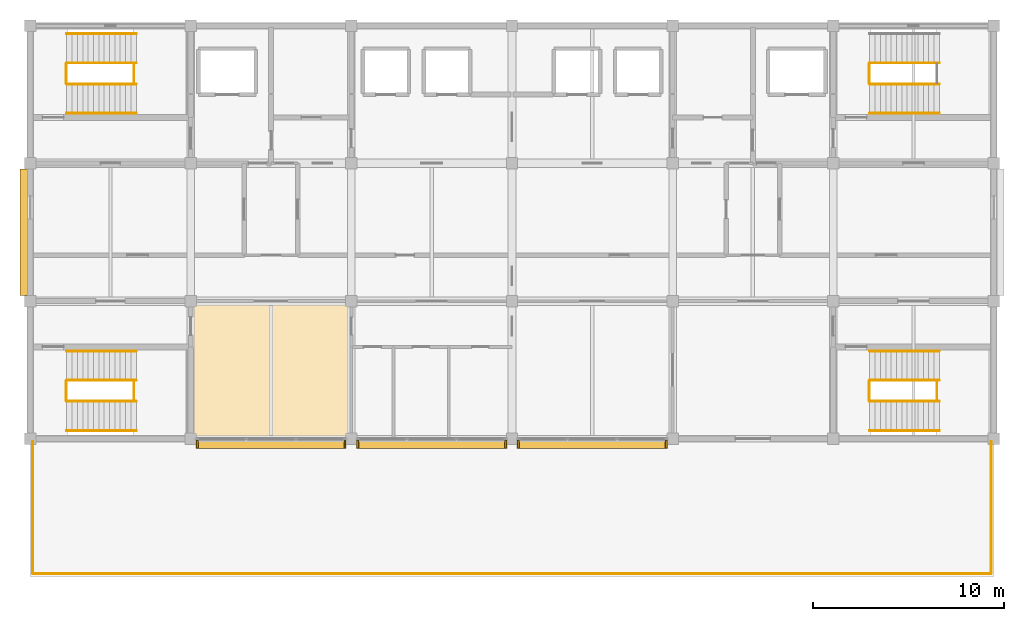
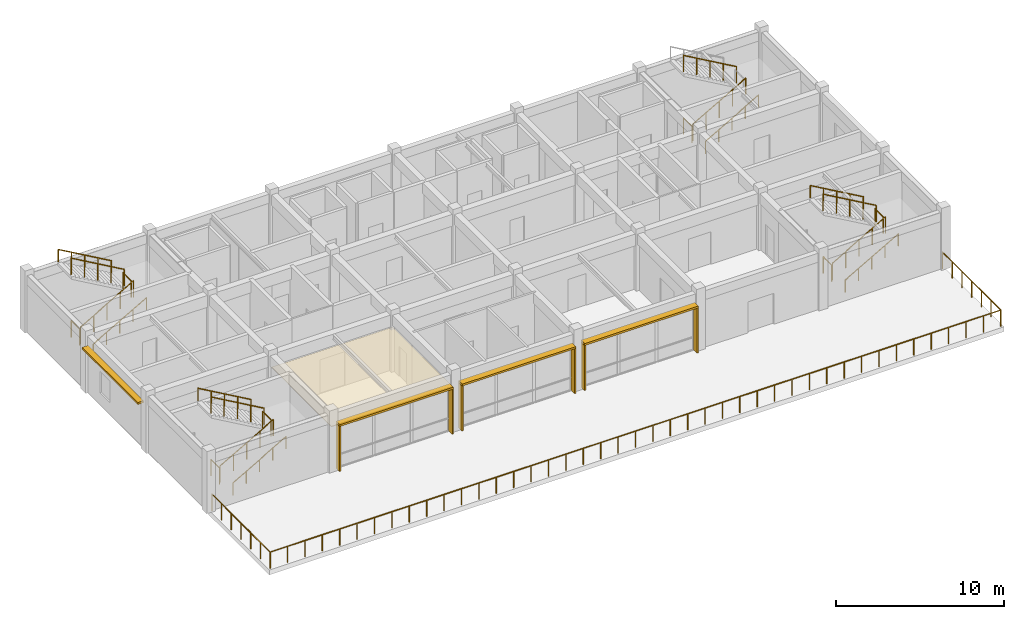
# One storey, part 10 of 11: 25 railings, 10 shading devices, 1 covering.
"""IFC4 building model written with IfcOpenShell, lengths in metres."""

import ifcopenshell
import ifcopenshell.guid

model = None  # the IFC model being written
_history = None  # IfcOwnerHistory: only IFC2X3 demands one
_inside = {}  # id of a spatial element -> (the spatial element, [elements in it])
_under = {}  # id of a project, library or spatial element -> (it, [spatial elements below it])
_declared = {}  # id of a project -> (the project, [libraries it declares])
_typed = {}  # id of a type object -> (the type object, [elements of that type])
_made_of = {}  # id of a material, layer set ... -> (it, [elements and type objects made of it])


def new_model(schema):
    """Start an empty IFC model of exactly this schema.

    Asked for "IFC4X3", IfcOpenShell would pick the latest addendum, in which some entities
    have other attributes; the version numbers below select the first issue.
    IFC2X3 requires an IfcOwnerHistory on every rooted entity: one is made here for all.
    """
    global model, _history
    if schema == "IFC4X3":
        model = ifcopenshell.file(schema_version=(4, 3, 0, 0))
    else:
        model = ifcopenshell.file(schema=schema)
    _inside.clear()
    _under.clear()
    _declared.clear()
    _typed.clear()
    _made_of.clear()
    _history = None
    if model.schema == "IFC2X3":
        org = make("IfcOrganization", Name="unknown")
        user = make(
            "IfcPersonAndOrganization",
            ThePerson=make("IfcPerson", FamilyName="unknown"),
            TheOrganization=org,
        )
        app = make(
            "IfcApplication",
            ApplicationDeveloper=org,
            Version="unknown",
            ApplicationFullName="unknown",
            ApplicationIdentifier="unknown",
        )
        _history = make(
            "IfcOwnerHistory",
            OwningUser=user,
            OwningApplication=app,
            ChangeAction="ADDED",
            CreationDate=0,
        )
    return model


def make(cls, **values):
    """One entity of the class cls with the attributes given. An attribute that is None is left unset."""
    return model.create_entity(
        cls, **{name: value for name, value in values.items() if value is not None}
    )


def rooted(cls, **values):
    """An entity with a GlobalId (a new one), such as an element, a storey or a relation."""
    return make(cls, GlobalId=ifcopenshell.guid.new(), OwnerHistory=_history, **values)


def si_unit(unit_type, name, prefix=None):
    """IfcSIUnit, for example si_unit("LENGTHUNIT", "METRE", prefix="MILLI")."""
    return make("IfcSIUnit", UnitType=unit_type, Prefix=prefix, Name=name)


def assignment(units):
    """IfcUnitAssignment: the units of a project."""
    return None if units is None else make("IfcUnitAssignment", Units=units)


def point(xyz):
    """IfcCartesianPoint."""
    return None if xyz is None else make("IfcCartesianPoint", Coordinates=xyz)


def direction(xyz):
    """IfcDirection."""
    return None if xyz is None else make("IfcDirection", DirectionRatios=xyz)


def frame(location, z_axis=None, x_axis=None):
    """IfcAxis2Placement3D, a coordinate frame: its origin and axes. An axis left out is left unset."""
    return make(
        "IfcAxis2Placement3D",
        Location=point(location),
        Axis=direction(z_axis),
        RefDirection=direction(x_axis),
    )


def frame_2d(location, x_axis=None):
    """IfcAxis2Placement2D, a coordinate frame in the plane: its origin and x axis."""
    return make(
        "IfcAxis2Placement2D", Location=point(location), RefDirection=direction(x_axis)
    )


def origin():
    """The frame at (0, 0, 0) with its axes left unset."""
    return frame((0.0, 0.0, 0.0))


def origin_2d():
    """The frame at (0, 0) in the plane with its x axis left unset."""
    return frame_2d((0.0, 0.0))


def place(relative_to, where):
    """IfcLocalPlacement: puts the frame where relative to a parent placement (None: the world)."""
    return make(
        "IfcLocalPlacement", PlacementRelTo=relative_to, RelativePlacement=where
    )


def context(
    kind, dimensions, precision=None, world=None, true_north=None, identifier=None
):
    """IfcGeometricRepresentationContext, for example the 3D "Model" context."""
    return make(
        "IfcGeometricRepresentationContext",
        ContextIdentifier=identifier,
        ContextType=kind,
        CoordinateSpaceDimension=dimensions,
        Precision=precision,
        WorldCoordinateSystem=world,
        TrueNorth=true_north,
    )


def subcontext(parent, identifier, kind, view, scale=None):
    """IfcGeometricRepresentationSubContext, for example "Body" below "Model"."""
    return make(
        "IfcGeometricRepresentationSubContext",
        ContextIdentifier=identifier,
        ContextType=kind,
        ParentContext=parent,
        TargetScale=scale,
        TargetView=view,
    )


def project(units=None, contexts=None):
    """IfcProject with its units and contexts."""
    return rooted(
        "IfcProject",
        Name="project",
        RepresentationContexts=contexts,
        UnitsInContext=assignment(units),
    )


def spatial(cls, under=None, at=None, **own):
    """A site, building, storey or space (cls), placed at a placement, below another one or the project."""
    s = rooted(cls, ObjectPlacement=at, **own)
    if under is not None:
        _under.setdefault(under.id(), (under, []))[1].append(s)
    return s


def polyline(points):
    """IfcPolyline through the points."""
    return make("IfcPolyline", Points=[point(p) for p in points])


def profile(cls, at=None, kind="AREA", **sizes):
    """A parametric profile (cls). Its sizes go by their IFC names, for example OverallWidth=200.0."""
    return make(cls, ProfileType=kind, Position=at, **sizes)


def rectangle(**sizes):
    """IfcRectangleProfileDef."""
    return profile("IfcRectangleProfileDef", **sizes)


def circle(**sizes):
    """IfcCircleProfileDef."""
    return profile("IfcCircleProfileDef", **sizes)


def outline(outer, holes=None, kind="AREA"):
    """IfcArbitraryClosedProfileDef: a profile drawn as a closed curve; with holes, ...WithVoids."""
    if holes is None:
        return make("IfcArbitraryClosedProfileDef", ProfileType=kind, OuterCurve=outer)
    return make(
        "IfcArbitraryProfileDefWithVoids",
        ProfileType=kind,
        OuterCurve=outer,
        InnerCurves=holes,
    )


def extrude(swept, where, along, depth):
    """IfcExtrudedAreaSolid: the profile swept, set in the frame where, extruded along a direction by depth."""
    return make(
        "IfcExtrudedAreaSolid",
        SweptArea=swept,
        Position=where,
        ExtrudedDirection=direction(along),
        Depth=depth,
    )


def shape(context_of_items, identifier, shape_type, items):
    """IfcShapeRepresentation: the items that make up one representation, for example the "Body"."""
    return make(
        "IfcShapeRepresentation",
        ContextOfItems=context_of_items,
        RepresentationIdentifier=identifier,
        RepresentationType=shape_type,
        Items=items,
    )


def material(Name=None, Category=None):
    """IfcMaterial."""
    return make("IfcMaterial", Name=Name, Category=Category)


def layer(
    of_material, thickness, ventilated=None, Name=None, Category=None, Priority=None
):
    """IfcMaterialLayer: one layer of a wall or slab, of a material (None: an air gap)."""
    return make(
        "IfcMaterialLayer",
        Material=of_material,
        LayerThickness=thickness,
        IsVentilated=ventilated,
        Name=Name,
        Category=Category,
        Priority=Priority,
    )


def layer_set(layers, Name=None):
    """IfcMaterialLayerSet."""
    return make("IfcMaterialLayerSet", MaterialLayers=layers, LayerSetName=Name)


def made_of(thing, what):
    """Note that an element or type object is made of a material, layer set ...; save() writes the relation."""
    if what is not None:
        _made_of.setdefault(what.id(), (what, []))[1].append(thing)
    return thing


def type_object(cls, material=None, **own):
    """A type object (cls), such as IfcWallType, which elements share."""
    return made_of(rooted(cls, **own), material)


def element(
    cls,
    number,
    at=None,
    inside=None,
    cuts=None,
    type_object=None,
    material=None,
    context=None,
    identifier="Body",
    shape_type=None,
    held_by="IfcProductDefinitionShape",
    body=None,
    shapes=None,
    **own,
):
    """One element of the class cls, such as IfcWall. Its Tag is "e" and its number.

    at: its placement. inside: the storey or other place that contains it. cuts: it is an
    opening in that element (IfcRelVoidsElement). A single representation is given by context,
    identifier, shape_type and body (its items); several are given by shapes. held_by: the class
    of the entity that holds the representations. save() writes the other relations.
    """
    e = rooted(cls, Tag="e%d" % number, ObjectPlacement=at, **own)
    if body is not None:
        shapes = [shape(context, identifier, shape_type, body)]
    if shapes is not None:
        e.Representation = make(held_by, Representations=shapes)
    if inside is not None:
        _inside.setdefault(inside.id(), (inside, []))[1].append(e)
    if cuts is not None:
        rooted(
            "IfcRelVoidsElement", RelatingBuildingElement=cuts, RelatedOpeningElement=e
        )
    if type_object is not None:
        _typed.setdefault(type_object.id(), (type_object, []))[1].append(e)
    return made_of(e, material)


def aggregate(whole, parts):
    """IfcRelAggregates: a whole, such as a stair, and the parts it consists of."""
    return rooted("IfcRelAggregates", RelatingObject=whole, RelatedObjects=parts)


def save(model, path):
    """Write the relations noted so far, then the file.

    IfcRelAggregates (storeys below a building ...), IfcRelContainedInSpatialStructure (elements
    in a storey), IfcRelDefinesByType, IfcRelAssociatesMaterial and IfcRelDeclares: one each for
    every whole, place, type object, material and project.
    """
    for whole, parts in _under.values():
        aggregate(whole, parts)
    for where, things in _inside.values():
        rooted(
            "IfcRelContainedInSpatialStructure",
            RelatedElements=things,
            RelatingStructure=where,
        )
    for kind, things in _typed.values():
        rooted("IfcRelDefinesByType", RelatedObjects=things, RelatingType=kind)
    for what, things in _made_of.values():
        rooted("IfcRelAssociatesMaterial", RelatedObjects=things, RelatingMaterial=what)
    for by, libraries in _declared.values():
        rooted("IfcRelDeclares", RelatingContext=by, RelatedDefinitions=libraries)
    model.write(path)


model = new_model("IFC4")

# Units and contexts
model_context = context("Model", 3, precision=1e-05, world=origin(), true_north=direction((0.0, 1.0)))
body_context = subcontext(model_context, "Body", "Model", "MODEL_VIEW")
ifc_project = project(units=[si_unit("LENGTHUNIT", "METRE"), si_unit("AREAUNIT", "SQUARE_METRE"), si_unit("VOLUMEUNIT", "CUBIC_METRE"), si_unit("PLANEANGLEUNIT", "RADIAN"), si_unit("MASSUNIT", "GRAM", prefix="KILO")], contexts=[model_context])

# Site, building, storey
site_placement = place(None, origin())
site = spatial("IfcSite", under=ifc_project, at=site_placement, CompositionType="ELEMENT")
building_placement = place(site_placement, origin())
building = spatial("IfcBuilding", under=site, at=building_placement, Name="Chengyuan Square Courthouse", CompositionType="ELEMENT")
storey_placement = place(building_placement, frame((0.0, 0.0, 68.699951171875)))
storey = spatial("IfcBuildingStorey", under=building, at=storey_placement, Name="L16", CompositionType="ELEMENT", Elevation=68.699951171875)

# Covering
ifc_material_1 = material(Name="Perforated Larch Glulam Acoustic Slat Ceiling", Category="wood")
ifc_layer = layer(ifc_material_1, 0.044921875)
ifc_layer_set = layer_set([ifc_layer], Name="Perforated Larch Glulam Acoustic Slat Ceiling")
covering_type = type_object("IfcCoveringType", Name="CLG-01", PredefinedType="CEILING", material=ifc_layer_set)
covering_placement = place(storey_placement, frame((0.0, 0.0, 3.02001953125)))
element("IfcCovering", 1, at=covering_placement, inside=storey, type_object=covering_type, Name="Acoustic Timber Slat Ceiling CLG-L16-PLN-01", PredefinedType="CEILING", context=body_context, shape_type="SweptSolid", body=[
    extrude(outline(polyline([(67.25, 86.449951171875), (75.550048828125, 86.449951171875), (75.550048828125, 93.550048828125), (67.25, 93.550048828125), (67.25, 86.449951171875)])), origin(), (0.0, 0.0, 1.0), 0.044921875),
])

# Railings
ifc_material_2 = material(Name="Stainless Steel S30408 and Laminated Glass Balustrade", Category="steel")
railing_type_1 = type_object("IfcRailingType", Name="RL-01", PredefinedType="BALUSTRADE", material=ifc_material_2)
railing_1_placement = place(storey_placement, frame((109.06005859375, 86.260009765625, 0.0)))
element("IfcRailing", 2, at=railing_1_placement, inside=storey, type_object=railing_type_1, Name="Terrace Safety Balustrade RL-TER-025", PredefinedType="BALUSTRADE", context=body_context, shape_type="SweptSolid", body=[
    extrude(circle(Radius=0.02392578125, at=origin_2d()), frame((0.0, 0.0, 1.17578125), z_axis=(0.0, -1.0, 0.0), x_axis=(1.0, 0.0, 0.0)), (0.0, 0.0, 1.0), 6.919921875),
    extrude(circle(Radius=0.02099609375, at=origin_2d()), origin(), (0.0, 0.0, 1.0), 1.15185546875),
    extrude(circle(Radius=0.02099609375, at=origin_2d()), frame((0.0, -1.1533203125, 0.0)), (0.0, 0.0, 1.0), 1.15185546875),
    extrude(circle(Radius=0.02099609375, at=origin_2d()), frame((0.0, -2.306640625, 0.0)), (0.0, 0.0, 1.0), 1.15185546875),
    extrude(circle(Radius=0.02099609375, at=origin_2d()), frame((0.0, -3.4599609375, 0.0)), (0.0, 0.0, 1.0), 1.15185546875),
    extrude(circle(Radius=0.02099609375, at=origin_2d()), frame((0.0, -4.61328125, 0.0)), (0.0, 0.0, 1.0), 1.15185546875),
    extrude(circle(Radius=0.02099609375, at=origin_2d()), frame((0.0, -5.7666015625, 0.0)), (0.0, 0.0, 1.0), 1.15185546875),
    extrude(circle(Radius=0.02099609375, at=origin_2d()), frame((0.0, -6.919921875, 0.0)), (0.0, 0.0, 1.0), 1.15185546875),
])
railing_2_placement = place(storey_placement, frame((109.06005859375, 79.340087890625, 0.0)))
element("IfcRailing", 3, at=railing_2_placement, inside=storey, type_object=railing_type_1, Name="Terrace Safety Balustrade RL-TER-026", PredefinedType="BALUSTRADE", context=body_context, shape_type="SweptSolid", body=[
    extrude(circle(Radius=0.02392578125, at=origin_2d()), frame((0.0, 0.0, 1.17578125), z_axis=(-1.0, 0.0, 0.0), x_axis=(0.0, -1.0, 0.0)), (0.0, 0.0, 1.0), 50.1201171875),
    extrude(circle(Radius=0.02099609375, at=origin_2d()), origin(), (0.0, 0.0, 1.0), 1.15185546875),
    extrude(circle(Radius=0.02099609375, at=origin_2d()), frame((-1.193359375, 0.0, 0.0)), (0.0, 0.0, 1.0), 1.15185546875),
    extrude(circle(Radius=0.02099609375, at=origin_2d()), frame((-2.38671875, 0.0, 0.0)), (0.0, 0.0, 1.0), 1.15185546875),
    extrude(circle(Radius=0.02099609375, at=origin_2d()), frame((-3.580078125, 0.0, 0.0)), (0.0, 0.0, 1.0), 1.15185546875),
    extrude(circle(Radius=0.02099609375, at=origin_2d()), frame((-4.7734375, 0.0, 0.0)), (0.0, 0.0, 1.0), 1.15185546875),
    extrude(circle(Radius=0.02099609375, at=origin_2d()), frame((-5.966796875, 0.0, 0.0)), (0.0, 0.0, 1.0), 1.15185546875),
    extrude(circle(Radius=0.02099609375, at=origin_2d()), frame((-7.159912109375, 0.0, 0.0)), (0.0, 0.0, 1.0), 1.15185546875),
    extrude(circle(Radius=0.02099609375, at=origin_2d()), frame((-8.353271484375, 0.0, 0.0)), (0.0, 0.0, 1.0), 1.15185546875),
    extrude(circle(Radius=0.02099609375, at=origin_2d()), frame((-9.546630859375, 0.0, 0.0)), (0.0, 0.0, 1.0), 1.15185546875),
    extrude(circle(Radius=0.02099609375, at=origin_2d()), frame((-10.739990234375, 0.0, 0.0)), (0.0, 0.0, 1.0), 1.15185546875),
    extrude(circle(Radius=0.02099609375, at=origin_2d()), frame((-11.933349609375, 0.0, 0.0)), (0.0, 0.0, 1.0), 1.15185546875),
    extrude(circle(Radius=0.02099609375, at=origin_2d()), frame((-13.126708984375, 0.0, 0.0)), (0.0, 0.0, 1.0), 1.15185546875),
    extrude(circle(Radius=0.02099609375, at=origin_2d()), frame((-14.320068359375, 0.0, 0.0)), (0.0, 0.0, 1.0), 1.15185546875),
    extrude(circle(Radius=0.02099609375, at=origin_2d()), frame((-15.513427734375, 0.0, 0.0)), (0.0, 0.0, 1.0), 1.15185546875),
    extrude(circle(Radius=0.02099609375, at=origin_2d()), frame((-16.706787109375, 0.0, 0.0)), (0.0, 0.0, 1.0), 1.15185546875),
    extrude(circle(Radius=0.02099609375, at=origin_2d()), frame((-17.900146484375, 0.0, 0.0)), (0.0, 0.0, 1.0), 1.15185546875),
    extrude(circle(Radius=0.02099609375, at=origin_2d()), frame((-19.09326171875, 0.0, 0.0)), (0.0, 0.0, 1.0), 1.15185546875),
    extrude(circle(Radius=0.02099609375, at=origin_2d()), frame((-20.28662109375, 0.0, 0.0)), (0.0, 0.0, 1.0), 1.15185546875),
    extrude(circle(Radius=0.02099609375, at=origin_2d()), frame((-21.47998046875, 0.0, 0.0)), (0.0, 0.0, 1.0), 1.15185546875),
    extrude(circle(Radius=0.02099609375, at=origin_2d()), frame((-22.67333984375, 0.0, 0.0)), (0.0, 0.0, 1.0), 1.15185546875),
    extrude(circle(Radius=0.02099609375, at=origin_2d()), frame((-23.86669921875, 0.0, 0.0)), (0.0, 0.0, 1.0), 1.15185546875),
    extrude(circle(Radius=0.02099609375, at=origin_2d()), frame((-25.06005859375, 0.0, 0.0)), (0.0, 0.0, 1.0), 1.15185546875),
    extrude(circle(Radius=0.02099609375, at=origin_2d()), frame((-26.25341796875, 0.0, 0.0)), (0.0, 0.0, 1.0), 1.15185546875),
    extrude(circle(Radius=0.02099609375, at=origin_2d()), frame((-27.44677734375, 0.0, 0.0)), (0.0, 0.0, 1.0), 1.15185546875),
    extrude(circle(Radius=0.02099609375, at=origin_2d()), frame((-28.64013671875, 0.0, 0.0)), (0.0, 0.0, 1.0), 1.15185546875),
    extrude(circle(Radius=0.02099609375, at=origin_2d()), frame((-29.83349609375, 0.0, 0.0)), (0.0, 0.0, 1.0), 1.15185546875),
    extrude(circle(Radius=0.02099609375, at=origin_2d()), frame((-31.02685546875, 0.0, 0.0)), (0.0, 0.0, 1.0), 1.15185546875),
    extrude(circle(Radius=0.02099609375, at=origin_2d()), frame((-32.219970703125, 0.0, 0.0)), (0.0, 0.0, 1.0), 1.15185546875),
    extrude(circle(Radius=0.02099609375, at=origin_2d()), frame((-33.413330078125, 0.0, 0.0)), (0.0, 0.0, 1.0), 1.15185546875),
    extrude(circle(Radius=0.02099609375, at=origin_2d()), frame((-34.606689453125, 0.0, 0.0)), (0.0, 0.0, 1.0), 1.15185546875),
    extrude(circle(Radius=0.02099609375, at=origin_2d()), frame((-35.800048828125, 0.0, 0.0)), (0.0, 0.0, 1.0), 1.15185546875),
    extrude(circle(Radius=0.02099609375, at=origin_2d()), frame((-36.993408203125, 0.0, 0.0)), (0.0, 0.0, 1.0), 1.15185546875),
    extrude(circle(Radius=0.02099609375, at=origin_2d()), frame((-38.186767578125, 0.0, 0.0)), (0.0, 0.0, 1.0), 1.15185546875),
    extrude(circle(Radius=0.02099609375, at=origin_2d()), frame((-39.380126953125, 0.0, 0.0)), (0.0, 0.0, 1.0), 1.15185546875),
    extrude(circle(Radius=0.02099609375, at=origin_2d()), frame((-40.573486328125, 0.0, 0.0)), (0.0, 0.0, 1.0), 1.15185546875),
    extrude(circle(Radius=0.02099609375, at=origin_2d()), frame((-41.766845703125, 0.0, 0.0)), (0.0, 0.0, 1.0), 1.15185546875),
    extrude(circle(Radius=0.02099609375, at=origin_2d()), frame((-42.960205078125, 0.0, 0.0)), (0.0, 0.0, 1.0), 1.15185546875),
    extrude(circle(Radius=0.02099609375, at=origin_2d()), frame((-44.1533203125, 0.0, 0.0)), (0.0, 0.0, 1.0), 1.15185546875),
    extrude(circle(Radius=0.02099609375, at=origin_2d()), frame((-45.3466796875, 0.0, 0.0)), (0.0, 0.0, 1.0), 1.15185546875),
    extrude(circle(Radius=0.02099609375, at=origin_2d()), frame((-46.5400390625, 0.0, 0.0)), (0.0, 0.0, 1.0), 1.15185546875),
    extrude(circle(Radius=0.02099609375, at=origin_2d()), frame((-47.7333984375, 0.0, 0.0)), (0.0, 0.0, 1.0), 1.15185546875),
    extrude(circle(Radius=0.02099609375, at=origin_2d()), frame((-48.9267578125, 0.0, 0.0)), (0.0, 0.0, 1.0), 1.15185546875),
    extrude(circle(Radius=0.02099609375, at=origin_2d()), frame((-50.1201171875, 0.0, 0.0)), (0.0, 0.0, 1.0), 1.15185546875),
])
railing_3_placement = place(storey_placement, frame((58.93994140625, 79.340087890625, 0.0)))
element("IfcRailing", 4, at=railing_3_placement, inside=storey, type_object=railing_type_1, Name="Terrace Safety Balustrade RL-TER-027", PredefinedType="BALUSTRADE", context=body_context, shape_type="SweptSolid", body=[
    extrude(circle(Radius=0.02392578125, at=origin_2d()), frame((0.0, 0.0, 1.17578125), z_axis=(0.0, 1.0, 0.0), x_axis=(-1.0, 0.0, 0.0)), (0.0, 0.0, 1.0), 6.919921875),
    extrude(circle(Radius=0.02099609375, at=origin_2d()), origin(), (0.0, 0.0, 1.0), 1.15185546875),
    extrude(circle(Radius=0.02099609375, at=origin_2d()), frame((0.0, 1.1533203125, 0.0)), (0.0, 0.0, 1.0), 1.15185546875),
    extrude(circle(Radius=0.02099609375, at=origin_2d()), frame((0.0, 2.306640625, 0.0)), (0.0, 0.0, 1.0), 1.15185546875),
    extrude(circle(Radius=0.02099609375, at=origin_2d()), frame((0.0, 3.4599609375, 0.0)), (0.0, 0.0, 1.0), 1.15185546875),
    extrude(circle(Radius=0.02099609375, at=origin_2d()), frame((0.0, 4.61328125, 0.0)), (0.0, 0.0, 1.0), 1.15185546875),
    extrude(circle(Radius=0.02099609375, at=origin_2d()), frame((0.0, 5.7666015625, 0.0)), (0.0, 0.0, 1.0), 1.15185546875),
    extrude(circle(Radius=0.02099609375, at=origin_2d()), frame((0.0, 6.919921875, 0.0)), (0.0, 0.0, 1.0), 1.15185546875),
])
ifc_material_3 = material(Name="Tempered Glass and Timber Top-Rail Balustrade", Category="wood")
railing_type_2 = type_object("IfcRailingType", Name="RL-02", PredefinedType="BALUSTRADE", material=ifc_material_3)
for number, where, name in (
    (5, (60.68994140625, 105.0, 0.0), "Stair Floor Slot Guard ST-1 L16"),
    (6, (64.22998046875, 105.0, 2.25), "Stair Landing Guard ST-1-L16"),
):
    element("IfcRailing", number, at=place(storey_placement, frame(where)), inside=storey, type_object=railing_type_2, Name=name, PredefinedType="BALUSTRADE", context=body_context, shape_type="SweptSolid", body=[
        extrude(circle(Radius=0.02392578125, at=origin_2d()), frame((0.0, 0.0, 1.17578125), z_axis=(0.0, 1.0, 0.0), x_axis=(-1.0, 0.0, 0.0)), (0.0, 0.0, 1.0), 1.0),
        extrude(circle(Radius=0.02099609375, at=origin_2d()), origin(), (0.0, 0.0, 1.0), 1.15185546875),
        extrude(circle(Radius=0.02099609375, at=origin_2d()), frame((0.0, 1.0, 0.0)), (0.0, 0.0, 1.0), 1.15185546875),
    ])
railing_4_placement = place(storey_placement, frame((60.7099609375, 104.949951171875, 0.16064453125)))
element("IfcRailing", 7, at=railing_4_placement, inside=storey, type_object=railing_type_2, Name="Stair Flight 1 Guard ST-1-L16", PredefinedType="BALUSTRADE", context=body_context, shape_type="SweptSolid", body=[
    extrude(circle(Radius=0.02392578125, at=origin_2d()), frame((0.0, 0.0, 1.17578125), z_axis=(0.867289372828, 0.0, 0.497804322781), x_axis=(0.0, 1.0, 0.0)), (0.0, 0.0, 1.0), 4.197021484375),
    extrude(circle(Radius=0.02099609375, at=origin_2d()), origin(), (0.0, 0.0, 1.0), 1.15185546875),
    extrude(circle(Radius=0.02099609375, at=origin_2d()), frame((0.91015625, 0.0, 0.5224609375)), (0.0, 0.0, 1.0), 1.15185546875),
    extrude(circle(Radius=0.02099609375, at=origin_2d()), frame((1.820068359375, 0.0, 1.044677734375)), (0.0, 0.0, 1.0), 1.15185546875),
    extrude(circle(Radius=0.02099609375, at=origin_2d()), frame((2.72998046875, 0.0, 1.56689453125)), (0.0, 0.0, 1.0), 1.15185546875),
    extrude(circle(Radius=0.02099609375, at=origin_2d()), frame((3.64013671875, 0.0, 2.08935546875)), (0.0, 0.0, 1.0), 1.15185546875),
])
railing_5_placement = place(storey_placement, frame((64.35009765625, 106.050048828125, 2.41064453125)))
element("IfcRailing", 8, at=railing_5_placement, inside=storey, type_object=railing_type_2, Name="Stair Flight 2 Guard ST-1-L16", PredefinedType="BALUSTRADE", context=body_context, shape_type="SweptSolid", body=[
    extrude(circle(Radius=0.02392578125, at=origin_2d()), frame((0.0, 0.0, 1.17578125), z_axis=(-0.867289372828, 0.0, 0.497804322781), x_axis=(0.0, -1.0, 0.0)), (0.0, 0.0, 1.0), 4.197021484375),
    extrude(circle(Radius=0.02099609375, at=origin_2d()), origin(), (0.0, 0.0, 1.0), 1.15185546875),
    extrude(circle(Radius=0.02099609375, at=origin_2d()), frame((-0.91015625, 0.0, 0.5224609375)), (0.0, 0.0, 1.0), 1.15185546875),
    extrude(circle(Radius=0.02099609375, at=origin_2d()), frame((-1.820068359375, 0.0, 1.044677734375)), (0.0, 0.0, 1.0), 1.15185546875),
    extrude(circle(Radius=0.02099609375, at=origin_2d()), frame((-2.72998046875, 0.0, 1.56689453125)), (0.0, 0.0, 1.0), 1.15185546875),
    extrude(circle(Radius=0.02099609375, at=origin_2d()), frame((-3.64013671875, 0.0, 2.08935546875)), (0.0, 0.0, 1.0), 1.15185546875),
])
railing_6_placement = place(storey_placement, frame((102.68994140625, 105.0, 0.0)))
element("IfcRailing", 9, at=railing_6_placement, inside=storey, type_object=railing_type_2, Name="Stair Floor Slot Guard ST-2 L16", PredefinedType="BALUSTRADE", context=body_context, shape_type="SweptSolid", body=[
    extrude(circle(Radius=0.02392578125, at=origin_2d()), frame((0.0, 0.0, 1.17578125), z_axis=(0.0, 1.0, 0.0), x_axis=(-1.0, 0.0, 0.0)), (0.0, 0.0, 1.0), 1.0),
    extrude(circle(Radius=0.02099609375, at=origin_2d()), origin(), (0.0, 0.0, 1.0), 1.15185546875),
    extrude(circle(Radius=0.02099609375, at=origin_2d()), frame((0.0, 1.0, 0.0)), (0.0, 0.0, 1.0), 1.15185546875),
])
railing_7_placement = place(storey_placement, frame((102.7099609375, 104.949951171875, 0.16064453125)))
element("IfcRailing", 10, at=railing_7_placement, inside=storey, type_object=railing_type_2, Name="Stair Flight 1 Guard ST-2-L16", PredefinedType="BALUSTRADE", context=body_context, shape_type="SweptSolid", body=[
    extrude(circle(Radius=0.02392578125, at=origin_2d()), frame((0.0, 0.0, 1.17578125), z_axis=(0.867289372828, 0.0, 0.497804322781), x_axis=(0.0, 1.0, 0.0)), (0.0, 0.0, 1.0), 4.197021484375),
    extrude(circle(Radius=0.02099609375, at=origin_2d()), origin(), (0.0, 0.0, 1.0), 1.15185546875),
    extrude(circle(Radius=0.02099609375, at=origin_2d()), frame((0.91015625, 0.0, 0.5224609375)), (0.0, 0.0, 1.0), 1.15185546875),
    extrude(circle(Radius=0.02099609375, at=origin_2d()), frame((1.820068359375, 0.0, 1.044677734375)), (0.0, 0.0, 1.0), 1.15185546875),
    extrude(circle(Radius=0.02099609375, at=origin_2d()), frame((2.72998046875, 0.0, 1.56689453125)), (0.0, 0.0, 1.0), 1.15185546875),
    extrude(circle(Radius=0.02099609375, at=origin_2d()), frame((3.64013671875, 0.0, 2.08935546875)), (0.0, 0.0, 1.0), 1.15185546875),
])
railing_8_placement = place(storey_placement, frame((106.35009765625, 106.050048828125, 2.41064453125)))
element("IfcRailing", 11, at=railing_8_placement, inside=storey, type_object=railing_type_2, Name="Stair Flight 2 Guard ST-2-L16", PredefinedType="BALUSTRADE", context=body_context, shape_type="SweptSolid", body=[
    extrude(circle(Radius=0.02392578125, at=origin_2d()), frame((0.0, 0.0, 1.17578125), z_axis=(-0.867289372828, 0.0, 0.497804322781), x_axis=(0.0, -1.0, 0.0)), (0.0, 0.0, 1.0), 4.197021484375),
    extrude(circle(Radius=0.02099609375, at=origin_2d()), origin(), (0.0, 0.0, 1.0), 1.15185546875),
    extrude(circle(Radius=0.02099609375, at=origin_2d()), frame((-0.91015625, 0.0, 0.5224609375)), (0.0, 0.0, 1.0), 1.15185546875),
    extrude(circle(Radius=0.02099609375, at=origin_2d()), frame((-1.820068359375, 0.0, 1.044677734375)), (0.0, 0.0, 1.0), 1.15185546875),
    extrude(circle(Radius=0.02099609375, at=origin_2d()), frame((-2.72998046875, 0.0, 1.56689453125)), (0.0, 0.0, 1.0), 1.15185546875),
    extrude(circle(Radius=0.02099609375, at=origin_2d()), frame((-3.64013671875, 0.0, 2.08935546875)), (0.0, 0.0, 1.0), 1.15185546875),
])
for number, where, name in (
    (12, (60.68994140625, 88.39990234375, 0.0), "Stair Floor Slot Guard ST-3 L16"),
    (13, (64.22998046875, 88.39990234375, 2.25), "Stair Landing Guard ST-3-L16"),
):
    element("IfcRailing", number, at=place(storey_placement, frame(where)), inside=storey, type_object=railing_type_2, Name=name, PredefinedType="BALUSTRADE", context=body_context, shape_type="SweptSolid", body=[
        extrude(circle(Radius=0.02392578125, at=origin_2d()), frame((0.0, 0.0, 1.17578125), z_axis=(0.0, 1.0, 0.0), x_axis=(-1.0, 0.0, 0.0)), (0.0, 0.0, 1.0), 1.0),
        extrude(circle(Radius=0.02099609375, at=origin_2d()), origin(), (0.0, 0.0, 1.0), 1.15185546875),
        extrude(circle(Radius=0.02099609375, at=origin_2d()), frame((0.0, 1.0, 0.0)), (0.0, 0.0, 1.0), 1.15185546875),
    ])
railing_9_placement = place(storey_placement, frame((60.7099609375, 88.35009765625, 0.16064453125)))
element("IfcRailing", 14, at=railing_9_placement, inside=storey, type_object=railing_type_2, Name="Stair Flight 1 Guard ST-3-L16", PredefinedType="BALUSTRADE", context=body_context, shape_type="SweptSolid", body=[
    extrude(circle(Radius=0.02392578125, at=origin_2d()), frame((0.0, 0.0, 1.17578125), z_axis=(0.867289372828, 0.0, 0.497804322781), x_axis=(0.0, 1.0, 0.0)), (0.0, 0.0, 1.0), 4.197021484375),
    extrude(circle(Radius=0.02099609375, at=origin_2d()), origin(), (0.0, 0.0, 1.0), 1.15185546875),
    extrude(circle(Radius=0.02099609375, at=origin_2d()), frame((0.91015625, 0.0, 0.5224609375)), (0.0, 0.0, 1.0), 1.15185546875),
    extrude(circle(Radius=0.02099609375, at=origin_2d()), frame((1.820068359375, 0.0, 1.044677734375)), (0.0, 0.0, 1.0), 1.15185546875),
    extrude(circle(Radius=0.02099609375, at=origin_2d()), frame((2.72998046875, 0.0, 1.56689453125)), (0.0, 0.0, 1.0), 1.15185546875),
    extrude(circle(Radius=0.02099609375, at=origin_2d()), frame((3.64013671875, 0.0, 2.08935546875)), (0.0, 0.0, 1.0), 1.15185546875),
])
railing_10_placement = place(storey_placement, frame((64.35009765625, 89.449951171875, 2.41064453125)))
element("IfcRailing", 15, at=railing_10_placement, inside=storey, type_object=railing_type_2, Name="Stair Flight 2 Guard ST-3-L16", PredefinedType="BALUSTRADE", context=body_context, shape_type="SweptSolid", body=[
    extrude(circle(Radius=0.02392578125, at=origin_2d()), frame((0.0, 0.0, 1.17578125), z_axis=(-0.867289372828, 0.0, 0.497804322781), x_axis=(0.0, -1.0, 0.0)), (0.0, 0.0, 1.0), 4.197021484375),
    extrude(circle(Radius=0.02099609375, at=origin_2d()), origin(), (0.0, 0.0, 1.0), 1.15185546875),
    extrude(circle(Radius=0.02099609375, at=origin_2d()), frame((-0.91015625, 0.0, 0.5224609375)), (0.0, 0.0, 1.0), 1.15185546875),
    extrude(circle(Radius=0.02099609375, at=origin_2d()), frame((-1.820068359375, 0.0, 1.044677734375)), (0.0, 0.0, 1.0), 1.15185546875),
    extrude(circle(Radius=0.02099609375, at=origin_2d()), frame((-2.72998046875, 0.0, 1.56689453125)), (0.0, 0.0, 1.0), 1.15185546875),
    extrude(circle(Radius=0.02099609375, at=origin_2d()), frame((-3.64013671875, 0.0, 2.08935546875)), (0.0, 0.0, 1.0), 1.15185546875),
])
for number, where, name in (
    (16, (102.68994140625, 88.39990234375, 0.0), "Stair Floor Slot Guard ST-4 L16"),
    (17, (106.22998046875, 88.39990234375, 2.25), "Stair Landing Guard ST-4-L16"),
):
    element("IfcRailing", number, at=place(storey_placement, frame(where)), inside=storey, type_object=railing_type_2, Name=name, PredefinedType="BALUSTRADE", context=body_context, shape_type="SweptSolid", body=[
        extrude(circle(Radius=0.02392578125, at=origin_2d()), frame((0.0, 0.0, 1.17578125), z_axis=(0.0, 1.0, 0.0), x_axis=(-1.0, 0.0, 0.0)), (0.0, 0.0, 1.0), 1.0),
        extrude(circle(Radius=0.02099609375, at=origin_2d()), origin(), (0.0, 0.0, 1.0), 1.15185546875),
        extrude(circle(Radius=0.02099609375, at=origin_2d()), frame((0.0, 1.0, 0.0)), (0.0, 0.0, 1.0), 1.15185546875),
    ])
railing_11_placement = place(storey_placement, frame((102.7099609375, 88.35009765625, 0.16064453125)))
element("IfcRailing", 18, at=railing_11_placement, inside=storey, type_object=railing_type_2, Name="Stair Flight 1 Guard ST-4-L16", PredefinedType="BALUSTRADE", context=body_context, shape_type="SweptSolid", body=[
    extrude(circle(Radius=0.02392578125, at=origin_2d()), frame((0.0, 0.0, 1.17578125), z_axis=(0.867289372828, 0.0, 0.497804322781), x_axis=(0.0, 1.0, 0.0)), (0.0, 0.0, 1.0), 4.197021484375),
    extrude(circle(Radius=0.02099609375, at=origin_2d()), origin(), (0.0, 0.0, 1.0), 1.15185546875),
    extrude(circle(Radius=0.02099609375, at=origin_2d()), frame((0.91015625, 0.0, 0.5224609375)), (0.0, 0.0, 1.0), 1.15185546875),
    extrude(circle(Radius=0.02099609375, at=origin_2d()), frame((1.820068359375, 0.0, 1.044677734375)), (0.0, 0.0, 1.0), 1.15185546875),
    extrude(circle(Radius=0.02099609375, at=origin_2d()), frame((2.72998046875, 0.0, 1.56689453125)), (0.0, 0.0, 1.0), 1.15185546875),
    extrude(circle(Radius=0.02099609375, at=origin_2d()), frame((3.64013671875, 0.0, 2.08935546875)), (0.0, 0.0, 1.0), 1.15185546875),
])
railing_12_placement = place(storey_placement, frame((106.35009765625, 89.449951171875, 2.41064453125)))
element("IfcRailing", 19, at=railing_12_placement, inside=storey, type_object=railing_type_2, Name="Stair Flight 2 Guard ST-4-L16", PredefinedType="BALUSTRADE", context=body_context, shape_type="SweptSolid", body=[
    extrude(circle(Radius=0.02392578125, at=origin_2d()), frame((0.0, 0.0, 1.17578125), z_axis=(-0.867289372828, 0.0, 0.497804322781), x_axis=(0.0, -1.0, 0.0)), (0.0, 0.0, 1.0), 4.197021484375),
    extrude(circle(Radius=0.02099609375, at=origin_2d()), origin(), (0.0, 0.0, 1.0), 1.15185546875),
    extrude(circle(Radius=0.02099609375, at=origin_2d()), frame((-0.91015625, 0.0, 0.5224609375)), (0.0, 0.0, 1.0), 1.15185546875),
    extrude(circle(Radius=0.02099609375, at=origin_2d()), frame((-1.820068359375, 0.0, 1.044677734375)), (0.0, 0.0, 1.0), 1.15185546875),
    extrude(circle(Radius=0.02099609375, at=origin_2d()), frame((-2.72998046875, 0.0, 1.56689453125)), (0.0, 0.0, 1.0), 1.15185546875),
    extrude(circle(Radius=0.02099609375, at=origin_2d()), frame((-3.64013671875, 0.0, 2.08935546875)), (0.0, 0.0, 1.0), 1.15185546875),
])
ifc_material_4 = material(Name="Stainless Steel S30408 Stair Handrail", Category="steel")
railing_type_3 = type_object("IfcRailingType", Name="RL-04", PredefinedType="HANDRAIL", material=ifc_material_4)
railing_13_placement = place(storey_placement, frame((60.7099609375, 103.419921875, 0.16064453125)))
element("IfcRailing", 20, at=railing_13_placement, inside=storey, type_object=railing_type_3, Name="Stair Flight 1 Handrail ST-1-L16", PredefinedType="HANDRAIL", context=body_context, shape_type="SweptSolid", body=[
    extrude(circle(Radius=0.02392578125, at=origin_2d()), frame((0.0, 0.0, 0.8759765625), z_axis=(0.867289372828, 0.0, 0.497804322781), x_axis=(0.0, 1.0, 0.0)), (0.0, 0.0, 1.0), 4.197021484375),
    extrude(circle(Radius=0.02099609375, at=origin_2d()), origin(), (0.0, 0.0, 1.0), 0.851806640625),
    extrude(circle(Radius=0.02099609375, at=origin_2d()), frame((0.91015625, 0.0, 0.5224609375)), (0.0, 0.0, 1.0), 0.851806640625),
    extrude(circle(Radius=0.02099609375, at=origin_2d()), frame((1.820068359375, 0.0, 1.044677734375)), (0.0, 0.0, 1.0), 0.851806640625),
    extrude(circle(Radius=0.02099609375, at=origin_2d()), frame((2.72998046875, 0.0, 1.56689453125)), (0.0, 0.0, 1.0), 0.851806640625),
    extrude(circle(Radius=0.02099609375, at=origin_2d()), frame((3.64013671875, 0.0, 2.08935546875)), (0.0, 0.0, 1.0), 0.851806640625),
])
railing_14_placement = place(storey_placement, frame((64.35009765625, 107.580078125, 2.41064453125)))
element("IfcRailing", 21, at=railing_14_placement, inside=storey, type_object=railing_type_3, Name="Stair Flight 2 Handrail ST-1-L16", PredefinedType="HANDRAIL", context=body_context, shape_type="SweptSolid", body=[
    extrude(circle(Radius=0.02392578125, at=origin_2d()), frame((0.0, 0.0, 0.8759765625), z_axis=(-0.867289372828, 0.0, 0.497804322781), x_axis=(0.0, -1.0, 0.0)), (0.0, 0.0, 1.0), 4.197021484375),
    extrude(circle(Radius=0.02099609375, at=origin_2d()), origin(), (0.0, 0.0, 1.0), 0.851806640625),
    extrude(circle(Radius=0.02099609375, at=origin_2d()), frame((-0.91015625, 0.0, 0.5224609375)), (0.0, 0.0, 1.0), 0.851806640625),
    extrude(circle(Radius=0.02099609375, at=origin_2d()), frame((-1.820068359375, 0.0, 1.044677734375)), (0.0, 0.0, 1.0), 0.851806640625),
    extrude(circle(Radius=0.02099609375, at=origin_2d()), frame((-2.72998046875, 0.0, 1.56689453125)), (0.0, 0.0, 1.0), 0.851806640625),
    extrude(circle(Radius=0.02099609375, at=origin_2d()), frame((-3.64013671875, 0.0, 2.08935546875)), (0.0, 0.0, 1.0), 0.851806640625),
])
for number, where, name in (
    (22, (102.7099609375, 103.419921875, 0.16064453125), "Stair Flight 1 Handrail ST-2-L16"),
    (23, (60.7099609375, 86.820068359375, 0.16064453125), "Stair Flight 1 Handrail ST-3-L16"),
):
    element("IfcRailing", number, at=place(storey_placement, frame(where)), inside=storey, type_object=railing_type_3, Name=name, PredefinedType="HANDRAIL", context=body_context, shape_type="SweptSolid", body=[
        extrude(circle(Radius=0.02392578125, at=origin_2d()), frame((0.0, 0.0, 0.8759765625), z_axis=(0.867289372828, 0.0, 0.497804322781), x_axis=(0.0, 1.0, 0.0)), (0.0, 0.0, 1.0), 4.197021484375),
        extrude(circle(Radius=0.02099609375, at=origin_2d()), origin(), (0.0, 0.0, 1.0), 0.851806640625),
        extrude(circle(Radius=0.02099609375, at=origin_2d()), frame((0.91015625, 0.0, 0.5224609375)), (0.0, 0.0, 1.0), 0.851806640625),
        extrude(circle(Radius=0.02099609375, at=origin_2d()), frame((1.820068359375, 0.0, 1.044677734375)), (0.0, 0.0, 1.0), 0.851806640625),
        extrude(circle(Radius=0.02099609375, at=origin_2d()), frame((2.72998046875, 0.0, 1.56689453125)), (0.0, 0.0, 1.0), 0.851806640625),
        extrude(circle(Radius=0.02099609375, at=origin_2d()), frame((3.64013671875, 0.0, 2.08935546875)), (0.0, 0.0, 1.0), 0.851806640625),
    ])
railing_15_placement = place(storey_placement, frame((64.35009765625, 90.97998046875, 2.41064453125)))
element("IfcRailing", 24, at=railing_15_placement, inside=storey, type_object=railing_type_3, Name="Stair Flight 2 Handrail ST-3-L16", PredefinedType="HANDRAIL", context=body_context, shape_type="SweptSolid", body=[
    extrude(circle(Radius=0.02392578125, at=origin_2d()), frame((0.0, 0.0, 0.8759765625), z_axis=(-0.867289372828, 0.0, 0.497804322781), x_axis=(0.0, -1.0, 0.0)), (0.0, 0.0, 1.0), 4.197021484375),
    extrude(circle(Radius=0.02099609375, at=origin_2d()), origin(), (0.0, 0.0, 1.0), 0.851806640625),
    extrude(circle(Radius=0.02099609375, at=origin_2d()), frame((-0.91015625, 0.0, 0.5224609375)), (0.0, 0.0, 1.0), 0.851806640625),
    extrude(circle(Radius=0.02099609375, at=origin_2d()), frame((-1.820068359375, 0.0, 1.044677734375)), (0.0, 0.0, 1.0), 0.851806640625),
    extrude(circle(Radius=0.02099609375, at=origin_2d()), frame((-2.72998046875, 0.0, 1.56689453125)), (0.0, 0.0, 1.0), 0.851806640625),
    extrude(circle(Radius=0.02099609375, at=origin_2d()), frame((-3.64013671875, 0.0, 2.08935546875)), (0.0, 0.0, 1.0), 0.851806640625),
])
railing_16_placement = place(storey_placement, frame((102.7099609375, 86.820068359375, 0.16064453125)))
element("IfcRailing", 25, at=railing_16_placement, inside=storey, type_object=railing_type_3, Name="Stair Flight 1 Handrail ST-4-L16", PredefinedType="HANDRAIL", context=body_context, shape_type="SweptSolid", body=[
    extrude(circle(Radius=0.02392578125, at=origin_2d()), frame((0.0, 0.0, 0.8759765625), z_axis=(0.867289372828, 0.0, 0.497804322781), x_axis=(0.0, 1.0, 0.0)), (0.0, 0.0, 1.0), 4.197021484375),
    extrude(circle(Radius=0.02099609375, at=origin_2d()), origin(), (0.0, 0.0, 1.0), 0.851806640625),
    extrude(circle(Radius=0.02099609375, at=origin_2d()), frame((0.91015625, 0.0, 0.5224609375)), (0.0, 0.0, 1.0), 0.851806640625),
    extrude(circle(Radius=0.02099609375, at=origin_2d()), frame((1.820068359375, 0.0, 1.044677734375)), (0.0, 0.0, 1.0), 0.851806640625),
    extrude(circle(Radius=0.02099609375, at=origin_2d()), frame((2.72998046875, 0.0, 1.56689453125)), (0.0, 0.0, 1.0), 0.851806640625),
    extrude(circle(Radius=0.02099609375, at=origin_2d()), frame((3.64013671875, 0.0, 2.08935546875)), (0.0, 0.0, 1.0), 0.851806640625),
])
railing_17_placement = place(storey_placement, frame((106.35009765625, 90.97998046875, 2.41064453125)))
element("IfcRailing", 26, at=railing_17_placement, inside=storey, type_object=railing_type_3, Name="Stair Flight 2 Handrail ST-4-L16", PredefinedType="HANDRAIL", context=body_context, shape_type="SweptSolid", body=[
    extrude(circle(Radius=0.02392578125, at=origin_2d()), frame((0.0, 0.0, 0.8759765625), z_axis=(-0.867289372828, 0.0, 0.497804322781), x_axis=(0.0, -1.0, 0.0)), (0.0, 0.0, 1.0), 4.197021484375),
    extrude(circle(Radius=0.02099609375, at=origin_2d()), origin(), (0.0, 0.0, 1.0), 0.851806640625),
    extrude(circle(Radius=0.02099609375, at=origin_2d()), frame((-0.91015625, 0.0, 0.5224609375)), (0.0, 0.0, 1.0), 0.851806640625),
    extrude(circle(Radius=0.02099609375, at=origin_2d()), frame((-1.820068359375, 0.0, 1.044677734375)), (0.0, 0.0, 1.0), 0.851806640625),
    extrude(circle(Radius=0.02099609375, at=origin_2d()), frame((-2.72998046875, 0.0, 1.56689453125)), (0.0, 0.0, 1.0), 0.851806640625),
    extrude(circle(Radius=0.02099609375, at=origin_2d()), frame((-3.64013671875, 0.0, 2.08935546875)), (0.0, 0.0, 1.0), 0.851806640625),
])

# Shading devices
ifc_material_5 = material(Name="Glulam TCt28 Solar Shading Fin", Category="wood")
shading_device_type_1 = type_object("IfcShadingDeviceType", Name="SHD-01", PredefinedType="JALOUSIE", material=ifc_material_5)
for number, where, z_axis, x_axis, name in (
    (27, (67.532470703125, 86.10791015625, 0.0400390625), (0.0, 0.0, 1.0), (0.0, 1.0, 0.0), "Glulam Solar Fin SHD-L16-0956"),
    (28, (75.267578125, 86.10791015625, 0.0400390625), (0.0, 0.0, 1.0), (0.0, 1.0, 0.0), "Glulam Solar Fin SHD-L16-0957"),
    (29, (75.9326171875, 86.10791015625, 0.0400390625), (0.0, 0.0, 1.0), (0.0, 1.0, 0.0), "Glulam Solar Fin SHD-L16-0959"),
    (30, (83.66748046875, 86.10791015625, 0.0400390625), (0.0, 0.0, 1.0), (0.0, 1.0, 0.0), "Glulam Solar Fin SHD-L16-0960"),
    (31, (84.33251953125, 86.10791015625, 0.0400390625), (0.0, 0.0, 1.0), (0.0, 1.0, 0.0), "Glulam Solar Fin SHD-L16-0962"),
    (32, (92.0673828125, 86.10791015625, 0.0400390625), (0.0, 0.0, 1.0), (0.0, 1.0, 0.0), "Glulam Solar Fin SHD-L16-0963"),
):
    element("IfcShadingDevice", number, at=place(storey_placement, frame(where, z_axis=z_axis, x_axis=x_axis)), inside=storey, type_object=shading_device_type_1, Name=name, PredefinedType="JALOUSIE", context=body_context, shape_type="SweptSolid", body=[
        extrude(rectangle(XDim=0.419921875, YDim=0.094970703125, at=origin_2d()), origin(), (0.0, 0.0, 1.0), 3.260009765625),
    ])
ifc_material_6 = material(Name="Glulam TCt28 Sunshade Louvre", Category="wood")
shading_device_type_2 = type_object("IfcShadingDeviceType", Name="SHD-02", PredefinedType="AWNING", material=ifc_material_6)
for number, where, z_axis, x_axis, name in (
    (33, (71.39990234375, 86.10791015625, 3.30029296875), (0.0, 0.0, 1.0), (1.0, 0.0, 0.0), "Glulam Sunshade Louvre SHD-L16-0958"),
    (34, (79.800048828125, 86.10791015625, 3.30029296875), (0.0, 0.0, 1.0), (1.0, 0.0, 0.0), "Glulam Sunshade Louvre SHD-L16-0961"),
    (35, (88.199951171875, 86.10791015625, 3.30029296875), (0.0, 0.0, 1.0), (1.0, 0.0, 0.0), "Glulam Sunshade Louvre SHD-L16-0964"),
):
    element("IfcShadingDevice", number, at=place(storey_placement, frame(where, z_axis=z_axis, x_axis=x_axis)), inside=storey, type_object=shading_device_type_2, Name=name, PredefinedType="AWNING", context=body_context, shape_type="SweptSolid", body=[
        extrude(rectangle(XDim=7.800048828125, YDim=0.43994140625, at=origin_2d()), origin(), (0.0, 0.0, 1.0), 0.139892578125),
    ])
ifc_material_7 = material(Name="Glulam TCt28 Facade Sunshade", Category="wood")
shading_device_type_3 = type_object("IfcShadingDeviceType", Name="SHD-03", PredefinedType="AWNING", material=ifc_material_7)
shading_device_placement = place(storey_placement, frame((58.468017578125, 97.199951171875, 3.2802734375), z_axis=(0.0, 0.0, 1.0), x_axis=(0.0, 1.0, 0.0)))
element("IfcShadingDevice", 36, at=shading_device_placement, inside=storey, type_object=shading_device_type_3, Name="Glulam Facade Sunshade SHD-L16-0955", PredefinedType="AWNING", context=body_context, shape_type="SweptSolid", body=[
    extrude(rectangle(XDim=6.610107421875, YDim=0.39990234375, at=origin_2d()), origin(), (0.0, 0.0, 1.0), 0.139892578125),
])

save(model, "model.ifc")
